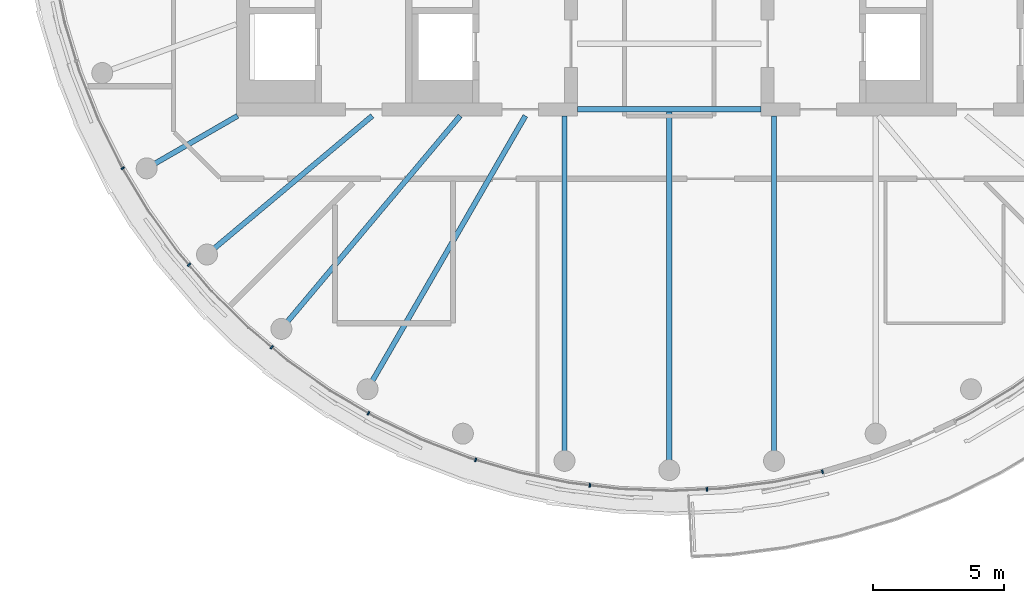
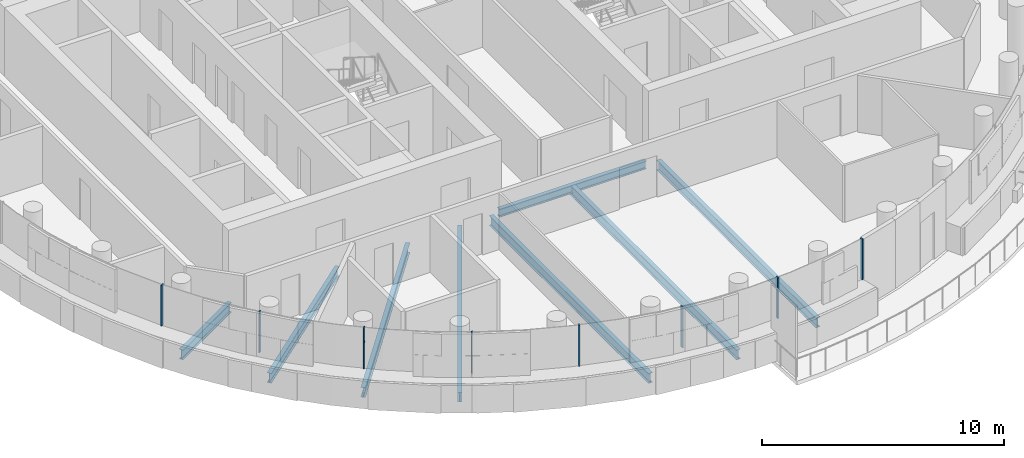
# One storey, part 2 of 21: 8 beams, 8 members, 1 element without a shape of its own.
"""IFC4 building model written with IfcOpenShell, lengths in metres."""

from ifc_helpers import new_model, si_unit, direction, frame, origin, origin_2d, place, context, subcontext, project, spatial, rectangle, i_section, extrude, material, layer, layer_set, material_profile, profile_set, type_object, element, aggregate, save


model = new_model("IFC4")

# Units and contexts
model_context = context("Model", 3, precision=1e-05, world=origin(), true_north=direction((0.0, 1.0)))
body_context = subcontext(model_context, "Body", "Model", "MODEL_VIEW")
ifc_project = project(units=[si_unit("LENGTHUNIT", "METRE"), si_unit("AREAUNIT", "SQUARE_METRE"), si_unit("VOLUMEUNIT", "CUBIC_METRE"), si_unit("PLANEANGLEUNIT", "RADIAN"), si_unit("MASSUNIT", "GRAM", prefix="KILO")], contexts=[model_context])

# Site, building, storey
site_placement = place(None, origin())
site = spatial("IfcSite", under=ifc_project, at=site_placement, CompositionType="ELEMENT")
building_placement = place(site_placement, origin())
building = spatial("IfcBuilding", under=site, at=building_placement, Name="Tamarind Cross Interchange Tower", CompositionType="ELEMENT")
storey_placement = place(building_placement, frame((0.0, 0.0, 271.199951171875)))
storey = spatial("IfcBuildingStorey", under=building, at=storey_placement, Name="L69", CompositionType="ELEMENT", Elevation=271.199951171875)

# Beams
ifc_material_1 = material(Name="Steel Q355B", Category="steel")
ifc_material_profile_1 = material_profile(ifc_material_1, i_section(OverallWidth=0.199951171875, OverallDepth=0.39990234375, WebThickness=0.008056640625, FlangeThickness=0.012939453125, FilletRadius=0.01611328125, at=origin_2d()), Name="HN 400x200x8x13")
ifc_profile_set_1 = profile_set([ifc_material_profile_1], Name="Steel Q355B")
beam_type_1 = type_object("IfcBeamType", Name="Composite beam HN 400x200x8x13 Q355B", PredefinedType="BEAM", material=ifc_profile_set_1)
beam_1_placement = place(storey_placement, frame((-3.5, -9.25, -0.33984375), z_axis=(1.0, 0.0, 0.0), x_axis=(0.0, 1.0, 0.0)))
element("IfcBeam", 1, at=beam_1_placement, inside=storey, type_object=beam_type_1, Name="Beam G-9.25", PredefinedType="BEAM", context=body_context, shape_type="SweptSolid", body=[
    extrude(i_section(OverallWidth=0.199951171875, OverallDepth=0.39990234375, WebThickness=0.008056640625, FlangeThickness=0.012939453125, FilletRadius=0.01611328125, at=origin_2d()), origin(), (0.0, 0.0, 1.0), 7.0),
])
ifc_material_profile_2 = material_profile(ifc_material_1, i_section(OverallWidth=0.198974609375, OverallDepth=0.49609375, WebThickness=0.009033203125, FlangeThickness=0.013916015625, FilletRadius=0.012939453125, at=origin_2d()), Name="HN 496x199x9x14")
ifc_profile_set_2 = profile_set([ifc_material_profile_2], Name="Steel Q355B")
beam_type_2 = type_object("IfcBeamType", Name="Composite beam HN 496x199x9x14 Q355B", PredefinedType="BEAM", material=ifc_profile_set_2)
beam_2_placement = place(storey_placement, frame((-19.918701171875, -11.5, -0.387939453125), z_axis=(0.866026010844, 0.49999894854, 0.0), x_axis=(-0.49999894854, 0.866026010844, 0.0)))
element("IfcBeam", 2, at=beam_2_placement, inside=storey, type_object=beam_type_2, Name="Beam HH21", PredefinedType="BEAM", context=body_context, shape_type="SweptSolid", body=[
    extrude(i_section(OverallWidth=0.198974609375, OverallDepth=0.49609375, WebThickness=0.009033203125, FlangeThickness=0.013916015625, FilletRadius=0.012939453125, at=origin_2d()), origin(), (0.0, 0.0, 1.0), 4.0),
])
beam_3_placement = place(storey_placement, frame((-17.619140625, -14.7841796875, -0.387939453125), z_axis=(0.766040580814, 0.642792212574, 0.0), x_axis=(-0.642792212574, 0.766040580814, 0.0)))
element("IfcBeam", 3, at=beam_3_placement, inside=storey, type_object=beam_type_2, Name="Beam HH22", PredefinedType="BEAM", context=body_context, shape_type="SweptSolid", body=[
    extrude(i_section(OverallWidth=0.198974609375, OverallDepth=0.49609375, WebThickness=0.009033203125, FlangeThickness=0.013916015625, FilletRadius=0.012939453125, at=origin_2d()), origin(), (0.0, 0.0, 1.0), 8.220703125),
])
beam_4_placement = place(storey_placement, frame((-14.7841796875, -17.619140625, -0.387939453125), z_axis=(0.642786293979, 0.766045547127, 0.0), x_axis=(-0.766045547127, 0.642786293979, 0.0)))
element("IfcBeam", 4, at=beam_4_placement, inside=storey, type_object=beam_type_2, Name="Beam HH23", PredefinedType="BEAM", context=body_context, shape_type="SweptSolid", body=[
    extrude(i_section(OverallWidth=0.198974609375, OverallDepth=0.49609375, WebThickness=0.009033203125, FlangeThickness=0.013916015625, FilletRadius=0.012939453125, at=origin_2d()), origin(), (0.0, 0.0, 1.0), 10.598876953125),
])
beam_5_placement = place(storey_placement, frame((-11.5, -19.918701171875, -0.387939453125), z_axis=(0.499993565836, 0.866029118519, 0.0), x_axis=(-0.866029118519, 0.499993565836, 0.0)))
element("IfcBeam", 5, at=beam_5_placement, inside=storey, type_object=beam_type_2, Name="Beam HH24", PredefinedType="BEAM", context=body_context, shape_type="SweptSolid", body=[
    extrude(i_section(OverallWidth=0.198974609375, OverallDepth=0.49609375, WebThickness=0.009033203125, FlangeThickness=0.013916015625, FilletRadius=0.012939453125, at=origin_2d()), origin(), (0.0, 0.0, 1.0), 12.030517578125),
])
beam_6_placement = place(storey_placement, frame((-3.993896484375, -22.650634765625, -0.387939453125), z_axis=(0.0, 1.0, 0.0), x_axis=(-1.0, 0.0, 0.0)))
element("IfcBeam", 6, at=beam_6_placement, inside=storey, type_object=beam_type_2, Name="Beam HH26", PredefinedType="BEAM", context=body_context, shape_type="SweptSolid", body=[
    extrude(i_section(OverallWidth=0.198974609375, OverallDepth=0.49609375, WebThickness=0.009033203125, FlangeThickness=0.013916015625, FilletRadius=0.012939453125, at=origin_2d()), origin(), (0.0, 0.0, 1.0), 13.150634765625),
])
beam_7_placement = place(storey_placement, frame((0.0, -23.0, -0.387939453125), z_axis=(0.0, 1.0, 0.0), x_axis=(-1.0, 0.0, 0.0)))
element("IfcBeam", 7, at=beam_7_placement, inside=storey, type_object=beam_type_2, Name="Beam HH27", PredefinedType="BEAM", context=body_context, shape_type="SweptSolid", body=[
    extrude(i_section(OverallWidth=0.198974609375, OverallDepth=0.49609375, WebThickness=0.009033203125, FlangeThickness=0.013916015625, FilletRadius=0.012939453125, at=origin_2d()), origin(), (0.0, 0.0, 1.0), 13.75),
])
beam_8_placement = place(storey_placement, frame((3.993896484375, -22.650634765625, -0.387939453125), z_axis=(0.0, 1.0, 0.0), x_axis=(-1.0, 0.0, 0.0)))
element("IfcBeam", 8, at=beam_8_placement, inside=storey, type_object=beam_type_2, Name="Beam HH28", PredefinedType="BEAM", context=body_context, shape_type="SweptSolid", body=[
    extrude(i_section(OverallWidth=0.198974609375, OverallDepth=0.49609375, WebThickness=0.009033203125, FlangeThickness=0.013916015625, FilletRadius=0.012939453125, at=origin_2d()), origin(), (0.0, 0.0, 1.0), 13.150634765625),
])

# Curtain wall, members
ifc_material_2 = material(Name="Aluminium 6063-T6", Category="aluminium")
ifc_layer = layer(ifc_material_2, 0.139892578125)
ifc_layer_set = layer_set([ifc_layer], Name="Aluminium 6063-T6")
curtain_wall_type = type_object("IfcCurtainWallType", Name="Hotel curtain wall, 4.5 m bays", PredefinedType="NOTDEFINED", material=ifc_layer_set)
curtain_wall_placement = place(storey_placement, origin())
curtain_wall = element("IfcCurtainWall", 9, at=curtain_wall_placement, inside=storey, type_object=curtain_wall_type, Name="CWS-L69-01", PredefinedType="NOTDEFINED")
ifc_material_profile_3 = material_profile(ifc_material_2, rectangle(XDim=0.06005859375, YDim=0.139892578125, at=origin_2d()), Name="Mullion CW2")
ifc_profile_set_3 = profile_set([ifc_material_profile_3], Name="Aluminium 6063-T6")
member_type = type_object("IfcMemberType", Name="Mullion CW2", PredefinedType="MULLION", material=ifc_profile_set_3)
member_1_placement = place(storey_placement, frame((-20.830078125, -11.49658203125, 1.400146484375), z_axis=(0.0, 0.0, 1.0), x_axis=(0.515577308909, -0.856843065292, 0.0)))
member_1 = element("IfcMember", 10, at=member_1_placement, type_object=member_type, Name="CWM-L69-01-08", PredefinedType="MULLION", context=body_context, shape_type="SweptSolid", body=[
    extrude(rectangle(XDim=0.06005859375, YDim=0.139892578125, at=origin_2d()), origin(), (0.0, 0.0, 1.0), 2.059814453125),
])
member_2_placement = place(storey_placement, frame((-18.30712890625, -15.173828125, 1.400146484375), z_axis=(0.0, 0.0, 1.0), x_axis=(0.64957723968, -0.760295606781, 0.0)))
member_2 = element("IfcMember", 11, at=member_2_placement, type_object=member_type, Name="CWM-L69-01-09", PredefinedType="MULLION", context=body_context, shape_type="SweptSolid", body=[
    extrude(rectangle(XDim=0.06005859375, YDim=0.139892578125, at=origin_2d()), origin(), (0.0, 0.0, 1.0), 2.059814453125),
])
member_3_placement = place(storey_placement, frame((-15.151123046875, -18.323486328125, 1.400146484375), z_axis=(0.0, 0.0, 1.0), x_axis=(0.765858396687, -0.643009266048, 0.0)))
member_3 = element("IfcMember", 12, at=member_3_placement, type_object=member_type, Name="CWM-L69-01-10", PredefinedType="MULLION", context=body_context, shape_type="SweptSolid", body=[
    extrude(rectangle(XDim=0.06005859375, YDim=0.139892578125, at=origin_2d()), origin(), (0.0, 0.0, 1.0), 2.059814453125),
])
member_4_placement = place(storey_placement, frame((-11.468994140625, -20.838623046875, 1.400146484375), z_axis=(0.0, 0.0, 1.0), x_axis=(0.861248933065, -0.508183308752, 0.0)))
member_4 = element("IfcMember", 13, at=member_4_placement, type_object=member_type, Name="CWM-L69-01-11", PredefinedType="MULLION", context=body_context, shape_type="SweptSolid", body=[
    extrude(rectangle(XDim=0.06005859375, YDim=0.139892578125, at=origin_2d()), origin(), (0.0, 0.0, 1.0), 2.059814453125),
])
member_5_placement = place(storey_placement, frame((-7.378173828125, -22.61328125, 1.400146484375), z_axis=(0.0, 0.0, 1.0), x_axis=(0.95964657186, -0.281208920763, 0.0)))
member_5 = element("IfcMember", 14, at=member_5_placement, type_object=member_type, Name="CWM-L69-01-12", PredefinedType="MULLION", context=body_context, shape_type="SweptSolid", body=[
    extrude(rectangle(XDim=0.06005859375, YDim=0.139892578125, at=origin_2d()), origin(), (0.0, 0.0, 1.0), 2.059814453125),
])
member_6_placement = place(storey_placement, frame((-3.025634765625, -23.5830078125, 1.400146484375), z_axis=(0.0, 0.0, 1.0), x_axis=(0.992843710523, -0.119420963295, 0.0)))
member_6 = element("IfcMember", 15, at=member_6_placement, type_object=member_type, Name="CWM-L69-01-13", PredefinedType="MULLION", context=body_context, shape_type="SweptSolid", body=[
    extrude(rectangle(XDim=0.06005859375, YDim=0.139892578125, at=origin_2d()), origin(), (0.0, 0.0, 1.0), 2.059814453125),
])
member_7_placement = place(storey_placement, frame((1.430419921875, -23.73486328125, 1.400146484375), z_axis=(0.0, 0.0, 1.0), x_axis=(0.998958660912, 0.045624486728, 0.0)))
member_7 = element("IfcMember", 16, at=member_7_placement, type_object=member_type, Name="CWM-L69-01-14", PredefinedType="MULLION", context=body_context, shape_type="SweptSolid", body=[
    extrude(rectangle(XDim=0.06005859375, YDim=0.139892578125, at=origin_2d()), origin(), (0.0, 0.0, 1.0), 2.059814453125),
])
member_8_placement = place(storey_placement, frame((5.83935546875, -23.06396484375, 1.400146484375), z_axis=(0.0, 0.0, 1.0), x_axis=(0.977824623121, 0.209425419705, 0.0)))
member_8 = element("IfcMember", 17, at=member_8_placement, type_object=member_type, Name="CWM-L69-01-15", PredefinedType="MULLION", context=body_context, shape_type="SweptSolid", body=[
    extrude(rectangle(XDim=0.06005859375, YDim=0.139892578125, at=origin_2d()), origin(), (0.0, 0.0, 1.0), 2.059814453125),
])
aggregate(curtain_wall, [member_1, member_2, member_3, member_4, member_5, member_6, member_7, member_8])

save(model, "model.ifc")
